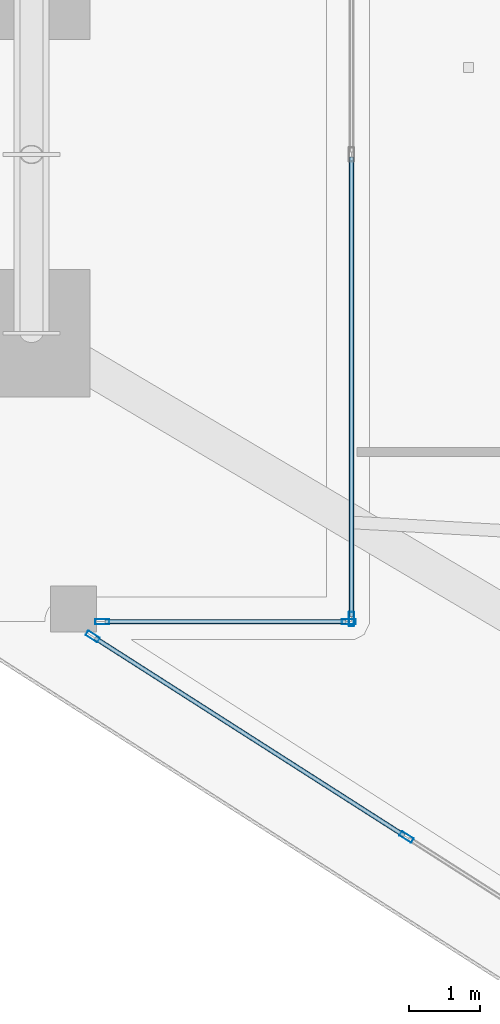
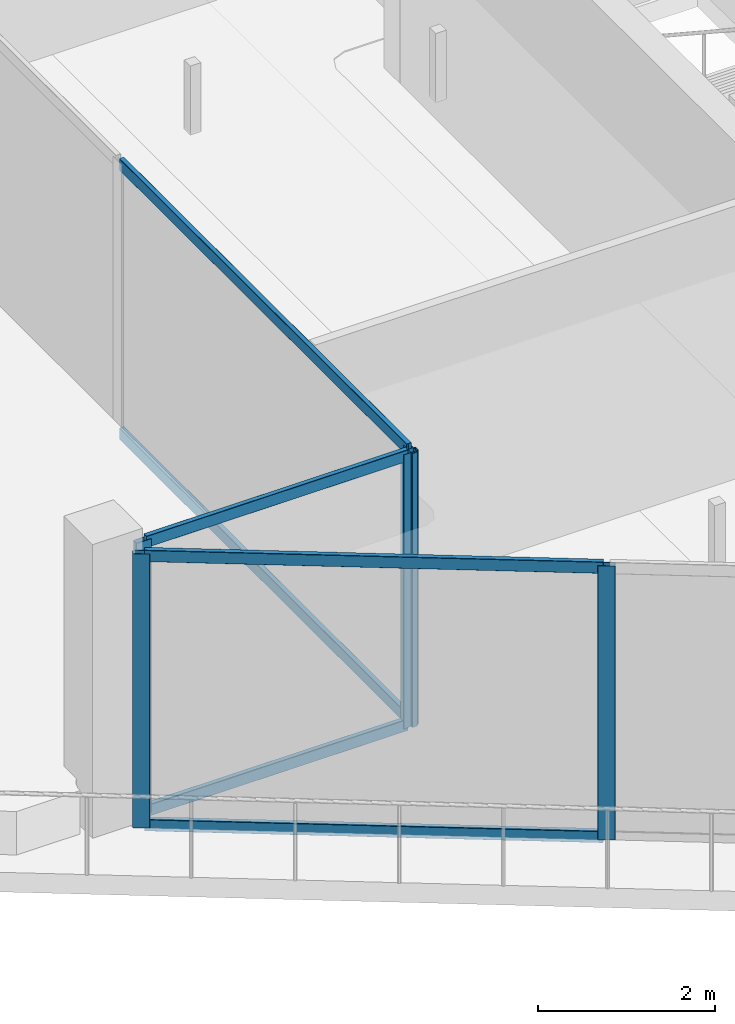
# One storey, part 6 of 36: 11 members, 3 elements without a shape of their own.
"""IFC4 building model written with IfcOpenShell, lengths in metres."""

from ifc_helpers import new_model, si_unit, direction, frame, origin, origin_2d, place, context, subcontext, project, spatial, hollow_rectangle, extrude, material, layer, layer_set, material_profile, profile_set, type_object, element, aggregate, save


model = new_model("IFC4")

# Units and contexts
model_context = context("Model", 3, precision=1e-05, world=origin(), true_north=direction((0.0, 1.0)))
body_context = subcontext(model_context, "Body", "Model", "MODEL_VIEW")
ifc_project = project(units=[si_unit("LENGTHUNIT", "METRE"), si_unit("AREAUNIT", "SQUARE_METRE"), si_unit("VOLUMEUNIT", "CUBIC_METRE"), si_unit("PLANEANGLEUNIT", "RADIAN"), si_unit("MASSUNIT", "GRAM", prefix="KILO")], contexts=[model_context])

# Site, building, storey
site_placement = place(None, origin())
site = spatial("IfcSite", under=ifc_project, at=site_placement, CompositionType="ELEMENT")
building_placement = place(site_placement, origin())
building = spatial("IfcBuilding", under=site, at=building_placement, Name="Qorvath Tower", CompositionType="ELEMENT")
storey_placement = place(building_placement, frame((0.0, 0.0, 229.35009765625)))
storey = spatial("IfcBuildingStorey", under=building, at=storey_placement, Name="L53", CompositionType="ELEMENT", Elevation=229.35009765625)

# Curtain wall, member
ifc_material_1 = material(Name="Anodised aluminium and triple low-E glass", Category="aluminium")
ifc_layer = layer(ifc_material_1, 0.179931640625)
ifc_layer_set = layer_set([ifc_layer], Name="CW-SYS-5")
curtain_wall_type = type_object("IfcCurtainWallType", Name="CW-SYS-5", PredefinedType="NOTDEFINED", material=ifc_layer_set)
curtain_wall_1_placement = place(storey_placement, origin())
curtain_wall_1 = element("IfcCurtainWall", 1, at=curtain_wall_1_placement, inside=storey, type_object=curtain_wall_type, Name="Curtain Wall CW-5 CW-T-L53-2.1", PredefinedType="NOTDEFINED")
ifc_material_2 = material(Name="Anodised aluminium 6063-T6", Category="aluminium")
ifc_material_profile_1 = material_profile(ifc_material_2, hollow_rectangle(XDim=0.074951171875, YDim=0.199951171875, WallThickness=0.00390625, InnerFilletRadius=0.00390625, OuterFilletRadius=0.008056640625, at=origin_2d()), Name="CWM 200x75")
ifc_profile_set_1 = profile_set([ifc_material_profile_1], Name="Anodised aluminium 6063-T6")
member_type_1 = type_object("IfcMemberType", Name="CWM-200", PredefinedType="MULLION", material=ifc_profile_set_1)
member_1_placement = place(storey_placement, frame((-44.64794921875, -6.56689453125, 0.0), z_axis=(0.0, 0.0, 1.0), x_axis=(1.0, 0.0, 0.0)))
member_1 = element("IfcMember", 2, at=member_1_placement, type_object=member_type_1, Name="CW-5 mullion 3", PredefinedType="MULLION", context=body_context, shape_type="SweptSolid", body=[
    extrude(hollow_rectangle(XDim=0.074951171875, YDim=0.199951171875, WallThickness=0.00390625, InnerFilletRadius=0.00390625, OuterFilletRadius=0.008056640625, at=origin_2d()), origin(), (0.0, 0.0, 1.0), 3.77978515625),
])

# Curtain wall, members
curtain_wall_2_placement = place(storey_placement, origin())
curtain_wall_2 = element("IfcCurtainWall", 3, at=curtain_wall_2_placement, inside=storey, type_object=curtain_wall_type, Name="Curtain Wall CW-5 CW-T-L53-3.1", PredefinedType="NOTDEFINED")
member_2_placement = place(storey_placement, frame((-44.685302734375, -6.6044921875, 0.0), z_axis=(0.0, 0.0, 1.0), x_axis=(0.0, -1.0, 0.0)))
member_2 = element("IfcMember", 4, at=member_2_placement, type_object=member_type_1, Name="CW-5 mullion 1", PredefinedType="MULLION", context=body_context, shape_type="SweptSolid", body=[
    extrude(hollow_rectangle(XDim=0.074951171875, YDim=0.199951171875, WallThickness=0.00390625, InnerFilletRadius=0.00390625, OuterFilletRadius=0.008056640625, at=origin_2d()), origin(), (0.0, 0.0, 1.0), 3.77978515625),
])
member_3_placement = place(storey_placement, frame((-48.1708984375, -6.6044921875, 0.0), z_axis=(0.0, 0.0, 1.0), x_axis=(0.0, -1.0, 0.0)))
member_3 = element("IfcMember", 5, at=member_3_placement, type_object=member_type_1, Name="CW-5 mullion 2", PredefinedType="MULLION", context=body_context, shape_type="SweptSolid", body=[
    extrude(hollow_rectangle(XDim=0.074951171875, YDim=0.199951171875, WallThickness=0.00390625, InnerFilletRadius=0.00390625, OuterFilletRadius=0.008056640625, at=origin_2d()), origin(), (0.0, 0.0, 1.0), 3.77978515625),
])

curtain_wall_3_placement = place(storey_placement, origin())
curtain_wall_3 = element("IfcCurtainWall", 6, at=curtain_wall_3_placement, inside=storey, type_object=curtain_wall_type, Name="Curtain Wall CW-5 CW-T-L53-4.1", PredefinedType="NOTDEFINED")
member_4_placement = place(storey_placement, frame((-48.305419921875, -6.81494140625, 0.0), z_axis=(0.0, 0.0, 1.0), x_axis=(0.538529366974, 0.84260674155, 0.0)))
member_4 = element("IfcMember", 7, at=member_4_placement, type_object=member_type_1, Name="CW-5 mullion 1", PredefinedType="MULLION", context=body_context, shape_type="SweptSolid", body=[
    extrude(hollow_rectangle(XDim=0.074951171875, YDim=0.199951171875, WallThickness=0.00390625, InnerFilletRadius=0.00390625, OuterFilletRadius=0.008056640625, at=origin_2d()), origin(), (0.0, 0.0, 1.0), 3.77978515625),
])
member_5_placement = place(storey_placement, frame((-43.870849609375, -9.64892578125, 0.0), z_axis=(0.0, 0.0, 1.0), x_axis=(0.538529366974, 0.84260674155, 0.0)))
member_5 = element("IfcMember", 8, at=member_5_placement, type_object=member_type_1, Name="CW-5 mullion 2", PredefinedType="MULLION", context=body_context, shape_type="SweptSolid", body=[
    extrude(hollow_rectangle(XDim=0.074951171875, YDim=0.199951171875, WallThickness=0.00390625, InnerFilletRadius=0.00390625, OuterFilletRadius=0.008056640625, at=origin_2d()), origin(), (0.0, 0.0, 1.0), 3.77978515625),
])

# Member
ifc_material_3 = material(Name="Anodised aluminium 6063-T6", Category="aluminium")
ifc_material_profile_2 = material_profile(ifc_material_3, hollow_rectangle(XDim=0.06494140625, YDim=0.159912109375, WallThickness=0.00341796875, InnerFilletRadius=0.00341796875, OuterFilletRadius=0.007080078125, at=origin_2d()), Name="CWT 160x65")
ifc_profile_set_2 = profile_set([ifc_material_profile_2], Name="Anodised aluminium 6063-T6")
member_type_2 = type_object("IfcMemberType", Name="CWT-160", PredefinedType="USERDEFINED", material=ifc_profile_set_2)
member_6_placement = place(storey_placement, frame((-44.64794921875, -0.03759765625, 0.032470703125), z_axis=(0.0, -1.0, 0.0), x_axis=(1.0, 0.0, 0.0)))
member_6 = element("IfcMember", 9, at=member_6_placement, type_object=member_type_2, Name="CW-5 transom 2.1", ObjectType="TRANSOM", PredefinedType="USERDEFINED", context=body_context, shape_type="SweptSolid", body=[
    extrude(hollow_rectangle(XDim=0.06494140625, YDim=0.159912109375, WallThickness=0.00341796875, InnerFilletRadius=0.00341796875, OuterFilletRadius=0.007080078125, at=origin_2d()), origin(), (0.0, 0.0, 1.0), 6.491943359375),
])

member_7_placement = place(storey_placement, frame((-44.64794921875, -0.03759765625, 3.747314453125), z_axis=(0.0, -1.0, 0.0), x_axis=(1.0, 0.0, 0.0)))
member_7 = element("IfcMember", 10, at=member_7_placement, type_object=member_type_2, Name="CW-5 transom 2.2", ObjectType="TRANSOM", PredefinedType="USERDEFINED", context=body_context, shape_type="SweptSolid", body=[
    extrude(hollow_rectangle(XDim=0.06494140625, YDim=0.159912109375, WallThickness=0.00341796875, InnerFilletRadius=0.00341796875, OuterFilletRadius=0.007080078125, at=origin_2d()), origin(), (0.0, 0.0, 1.0), 6.491943359375),
])

aggregate(curtain_wall_1, [member_1, member_6, member_7])

member_8_placement = place(storey_placement, frame((-44.722900390625, -6.6044921875, 0.032470703125), z_axis=(-1.0, 0.0, 0.0), x_axis=(0.0, -1.0, 0.0)))
member_8 = element("IfcMember", 11, at=member_8_placement, type_object=member_type_2, Name="CW-5 transom 1.1", ObjectType="TRANSOM", PredefinedType="USERDEFINED", context=body_context, shape_type="SweptSolid", body=[
    extrude(hollow_rectangle(XDim=0.06494140625, YDim=0.159912109375, WallThickness=0.00341796875, InnerFilletRadius=0.00341796875, OuterFilletRadius=0.007080078125, at=origin_2d()), origin(), (0.0, 0.0, 1.0), 3.41064453125),
])

member_9_placement = place(storey_placement, frame((-44.722900390625, -6.6044921875, 3.747314453125), z_axis=(-1.0, 0.0, 0.0), x_axis=(0.0, -1.0, 0.0)))
member_9 = element("IfcMember", 12, at=member_9_placement, type_object=member_type_2, Name="CW-5 transom 1.2", ObjectType="TRANSOM", PredefinedType="USERDEFINED", context=body_context, shape_type="SweptSolid", body=[
    extrude(hollow_rectangle(XDim=0.06494140625, YDim=0.159912109375, WallThickness=0.00341796875, InnerFilletRadius=0.00341796875, OuterFilletRadius=0.007080078125, at=origin_2d()), origin(), (0.0, 0.0, 1.0), 3.41064453125),
])

aggregate(curtain_wall_2, [member_2, member_3, member_8, member_9])

member_10_placement = place(storey_placement, frame((-48.273681640625, -6.835205078125, 0.032470703125), z_axis=(0.842603721563, -0.53853409215, 0.0), x_axis=(0.53853409215, 0.842603721563, 0.0)))
member_10 = element("IfcMember", 13, at=member_10_placement, type_object=member_type_2, Name="CW-5 transom 1.1", ObjectType="TRANSOM", PredefinedType="USERDEFINED", context=body_context, shape_type="SweptSolid", body=[
    extrude(hollow_rectangle(XDim=0.06494140625, YDim=0.159912109375, WallThickness=0.00341796875, InnerFilletRadius=0.00341796875, OuterFilletRadius=0.007080078125, at=origin_2d()), origin(), (0.0, 0.0, 1.0), 5.1875),
])

member_11_placement = place(storey_placement, frame((-48.273681640625, -6.835205078125, 3.747314453125), z_axis=(0.842603721563, -0.53853409215, 0.0), x_axis=(0.53853409215, 0.842603721563, 0.0)))
member_11 = element("IfcMember", 14, at=member_11_placement, type_object=member_type_2, Name="CW-5 transom 1.2", ObjectType="TRANSOM", PredefinedType="USERDEFINED", context=body_context, shape_type="SweptSolid", body=[
    extrude(hollow_rectangle(XDim=0.06494140625, YDim=0.159912109375, WallThickness=0.00341796875, InnerFilletRadius=0.00341796875, OuterFilletRadius=0.007080078125, at=origin_2d()), origin(), (0.0, 0.0, 1.0), 5.1875),
])

aggregate(curtain_wall_3, [member_4, member_5, member_10, member_11])

save(model, "model.ifc")
